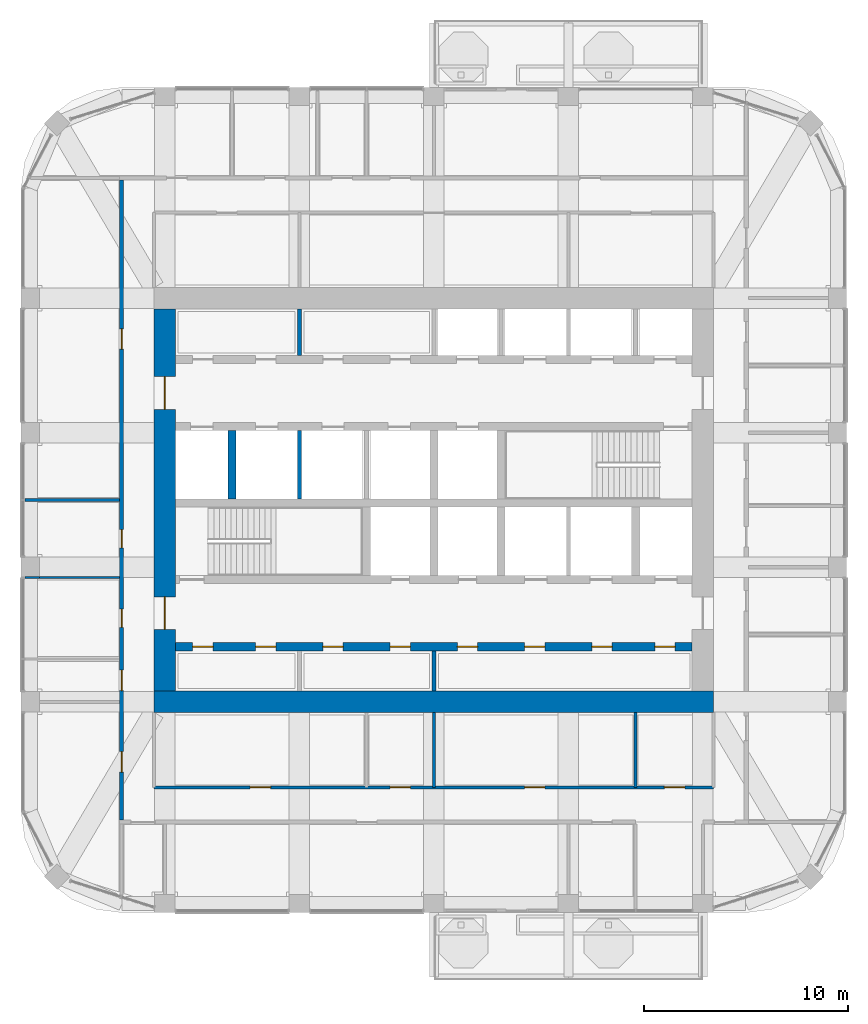
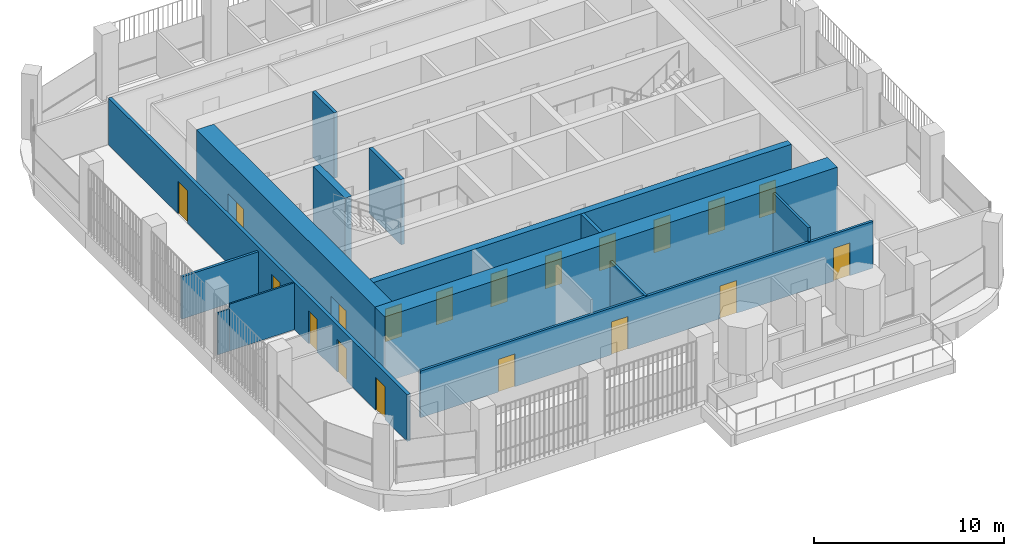
# One storey, part 14 of 21: 19 doors, 14 walls, 19 openings.
"""IFC4 building model written with IfcOpenShell, lengths in metres."""

from ifc_helpers import new_model, si_unit, direction, frame, frame_2d, origin, place, context, subcontext, project, spatial, rectangle, extrude, material, layer, layer_set, type_object, element, fill, save


model = new_model("IFC4")

# Units and contexts
model_context = context("Model", 3, precision=1e-05, world=origin(), true_north=direction((0.0, 1.0)))
body_context = subcontext(model_context, "Body", "Model", "MODEL_VIEW")
ifc_project = project(units=[si_unit("LENGTHUNIT", "METRE"), si_unit("AREAUNIT", "SQUARE_METRE"), si_unit("VOLUMEUNIT", "CUBIC_METRE"), si_unit("PLANEANGLEUNIT", "RADIAN"), si_unit("MASSUNIT", "GRAM", prefix="KILO")], contexts=[model_context])

# Site, building, storey
site_placement = place(None, origin())
site = spatial("IfcSite", under=ifc_project, at=site_placement, CompositionType="ELEMENT")
building_placement = place(site_placement, origin())
building = spatial("IfcBuilding", under=site, at=building_placement, Name="Cobogo Forest Laboratory Tower", CompositionType="ELEMENT")
storey_placement = place(building_placement, frame((0.0, 0.0, 275.39990234375)))
storey = spatial("IfcBuildingStorey", under=building, at=storey_placement, Name="L63", CompositionType="ELEMENT", Elevation=275.39990234375)

# Wall, openings, doors
ifc_material_1 = material(Name="Concrete HA-50 (C50/60)", Category="concrete")
ifc_layer_1 = layer(ifc_material_1, 0.39990234375)
ifc_layer_set_1 = layer_set([ifc_layer_1], Name="CI400 core inner wall 400")
wall_type_1 = type_object("IfcWallType", Name="CI400 core inner wall 400", PredefinedType="SHEAR", material=ifc_layer_set_1)
wall_1_placement = place(storey_placement, frame((13.72509765625, 15.89990234375, 0.0), z_axis=(0.0, 0.0, 1.0), x_axis=(1.0, 0.0, 0.0)))
wall_1 = element("IfcWall", 1, at=wall_1_placement, inside=storey, type_object=wall_type_1, Name="Core wall CI-15.9 L63", PredefinedType="SHEAR", context=body_context, shape_type="SweptSolid", body=[
    extrude(rectangle(XDim=25.349853515625, YDim=0.39990234375, at=frame_2d((12.6748046875, 0.0))), origin(), (0.0, 0.0, 1.0), 4.2001953125),
])
opening_1_placement = place(wall_1_placement, frame((0.83740234375, 0.0, 0.0)))
opening_1 = element("IfcOpeningElement", 2, at=opening_1_placement, cuts=wall_1, Name="Opening L63-D13", PredefinedType="OPENING", context=body_context, shape_type="SweptSolid", body=[
    extrude(rectangle(XDim=1.0, YDim=2.10009765625, at=frame_2d((0.5, 1.050048828125))), frame((0.0, 0.2099609375, 0.0), z_axis=(0.0, -1.0, 0.0), x_axis=(1.0, 0.0, 0.0)), (0.0, 0.0, 1.0), 0.419921875),
])
opening_2_placement = place(wall_1_placement, frame((3.925048828125, 0.0, 0.0)))
opening_2 = element("IfcOpeningElement", 3, at=opening_2_placement, cuts=wall_1, Name="Opening L63-D14", PredefinedType="OPENING", context=body_context, shape_type="SweptSolid", body=[
    extrude(rectangle(XDim=1.0, YDim=2.10009765625, at=frame_2d((0.5, 1.050048828125))), frame((0.0, 0.2099609375, 0.0), z_axis=(0.0, -1.0, 0.0), x_axis=(1.0, 0.0, 0.0)), (0.0, 0.0, 1.0), 0.419921875),
])
opening_3_placement = place(wall_1_placement, frame((7.22509765625, 0.0, 0.0)))
opening_3 = element("IfcOpeningElement", 4, at=opening_3_placement, cuts=wall_1, Name="Opening L63-D15", PredefinedType="OPENING", context=body_context, shape_type="SweptSolid", body=[
    extrude(rectangle(XDim=1.0, YDim=2.10009765625, at=frame_2d((0.5, 1.050048828125))), frame((0.0, 0.2099609375, 0.0), z_axis=(0.0, -1.0, 0.0), x_axis=(1.0, 0.0, 0.0)), (0.0, 0.0, 1.0), 0.419921875),
])
opening_4_placement = place(wall_1_placement, frame((10.52490234375, 0.0, 0.0)))
opening_4 = element("IfcOpeningElement", 5, at=opening_4_placement, cuts=wall_1, Name="Opening L63-D16", PredefinedType="OPENING", context=body_context, shape_type="SweptSolid", body=[
    extrude(rectangle(XDim=1.0, YDim=2.10009765625, at=frame_2d((0.5, 1.050048828125))), frame((0.0, 0.2099609375, 0.0), z_axis=(0.0, -1.0, 0.0), x_axis=(1.0, 0.0, 0.0)), (0.0, 0.0, 1.0), 0.419921875),
])
opening_5_placement = place(wall_1_placement, frame((13.824951171875, 0.0, 0.0)))
opening_5 = element("IfcOpeningElement", 6, at=opening_5_placement, cuts=wall_1, Name="Opening L63-D17", PredefinedType="OPENING", context=body_context, shape_type="SweptSolid", body=[
    extrude(rectangle(XDim=1.0, YDim=2.10009765625, at=frame_2d((0.5, 1.050048828125))), frame((0.0, 0.2099609375, 0.0), z_axis=(0.0, -1.0, 0.0), x_axis=(1.0, 0.0, 0.0)), (0.0, 0.0, 1.0), 0.419921875),
])
opening_6_placement = place(wall_1_placement, frame((17.125, 0.0, 0.0)))
opening_6 = element("IfcOpeningElement", 7, at=opening_6_placement, cuts=wall_1, Name="Opening L63-D18", PredefinedType="OPENING", context=body_context, shape_type="SweptSolid", body=[
    extrude(rectangle(XDim=1.0, YDim=2.10009765625, at=frame_2d((0.5, 1.050048828125))), frame((0.0, 0.2099609375, 0.0), z_axis=(0.0, -1.0, 0.0), x_axis=(1.0, 0.0, 0.0)), (0.0, 0.0, 1.0), 0.419921875),
])
opening_7_placement = place(wall_1_placement, frame((20.425048828125, 0.0, 0.0)))
opening_7 = element("IfcOpeningElement", 8, at=opening_7_placement, cuts=wall_1, Name="Opening L63-D19", PredefinedType="OPENING", context=body_context, shape_type="SweptSolid", body=[
    extrude(rectangle(XDim=1.0, YDim=2.10009765625, at=frame_2d((0.5, 1.050048828125))), frame((0.0, 0.2099609375, 0.0), z_axis=(0.0, -1.0, 0.0), x_axis=(1.0, 0.0, 0.0)), (0.0, 0.0, 1.0), 0.419921875),
])
opening_8_placement = place(wall_1_placement, frame((23.512451171875, 0.0, 0.0)))
opening_8 = element("IfcOpeningElement", 9, at=opening_8_placement, cuts=wall_1, Name="Opening L63-D20", PredefinedType="OPENING", context=body_context, shape_type="SweptSolid", body=[
    extrude(rectangle(XDim=1.0, YDim=2.10009765625, at=frame_2d((0.5, 1.050048828125))), frame((0.0, 0.2099609375, 0.0), z_axis=(0.0, -1.0, 0.0), x_axis=(1.0, 0.0, 0.0)), (0.0, 0.0, 1.0), 0.419921875),
])
ifc_material_2 = material(Name="Steel fire door", Category="steel")
door_type_1 = type_object("IfcDoorType", Name="FD1 fire door 1000 EI2 60", OperationType="SINGLE_SWING_LEFT", PredefinedType="DOOR", material=ifc_material_2)
door_1_placement = place(opening_1_placement, origin())
door_1 = element("IfcDoor", 10, at=door_1_placement, inside=storey, type_object=door_type_1, Name="Door L63-SH-LA1", OperationType="SINGLE_SWING_LEFT", OverallHeight=2.10009765625, OverallWidth=1.0, PredefinedType="DOOR", context=body_context, shape_type="SweptSolid", body=[
    extrude(rectangle(XDim=1.0, YDim=2.10009765625, at=frame_2d((0.5, 1.050048828125))), frame((0.0, 0.02490234375, 0.0), z_axis=(0.0, -1.0, 0.0), x_axis=(1.0, 0.0, 0.0)), (0.0, 0.0, 1.0), 0.050048828125),
])
fill(opening_1, door_1)
door_2_placement = place(opening_2_placement, origin())
door_2 = element("IfcDoor", 11, at=door_2_placement, inside=storey, type_object=door_type_1, Name="Door L63-SH-LA2", OperationType="SINGLE_SWING_LEFT", OverallHeight=2.10009765625, OverallWidth=1.0, PredefinedType="DOOR", context=body_context, shape_type="SweptSolid", body=[
    extrude(rectangle(XDim=1.0, YDim=2.10009765625, at=frame_2d((0.5, 1.050048828125))), frame((0.0, 0.02490234375, 0.0), z_axis=(0.0, -1.0, 0.0), x_axis=(1.0, 0.0, 0.0)), (0.0, 0.0, 1.0), 0.050048828125),
])
fill(opening_2, door_2)
door_3_placement = place(opening_3_placement, origin())
door_3 = element("IfcDoor", 12, at=door_3_placement, inside=storey, type_object=door_type_1, Name="Door L63-SH-LA3", OperationType="SINGLE_SWING_LEFT", OverallHeight=2.10009765625, OverallWidth=1.0, PredefinedType="DOOR", context=body_context, shape_type="SweptSolid", body=[
    extrude(rectangle(XDim=1.0, YDim=2.10009765625, at=frame_2d((0.5, 1.050048828125))), frame((0.0, 0.02490234375, 0.0), z_axis=(0.0, -1.0, 0.0), x_axis=(1.0, 0.0, 0.0)), (0.0, 0.0, 1.0), 0.050048828125),
])
fill(opening_3, door_3)
door_4_placement = place(opening_4_placement, origin())
door_4 = element("IfcDoor", 13, at=door_4_placement, inside=storey, type_object=door_type_1, Name="Door L63-SH-LA4", OperationType="SINGLE_SWING_LEFT", OverallHeight=2.10009765625, OverallWidth=1.0, PredefinedType="DOOR", context=body_context, shape_type="SweptSolid", body=[
    extrude(rectangle(XDim=1.0, YDim=2.10009765625, at=frame_2d((0.5, 1.050048828125))), frame((0.0, 0.02490234375, 0.0), z_axis=(0.0, -1.0, 0.0), x_axis=(1.0, 0.0, 0.0)), (0.0, 0.0, 1.0), 0.050048828125),
])
fill(opening_4, door_4)
door_5_placement = place(opening_5_placement, origin())
door_5 = element("IfcDoor", 14, at=door_5_placement, inside=storey, type_object=door_type_1, Name="Door L63-SH-LB1", OperationType="SINGLE_SWING_RIGHT", OverallHeight=2.10009765625, OverallWidth=1.0, PredefinedType="DOOR", context=body_context, shape_type="SweptSolid", body=[
    extrude(rectangle(XDim=1.0, YDim=2.10009765625, at=frame_2d((0.5, 1.050048828125))), frame((0.0, 0.02490234375, 0.0), z_axis=(0.0, -1.0, 0.0), x_axis=(1.0, 0.0, 0.0)), (0.0, 0.0, 1.0), 0.050048828125),
])
fill(opening_5, door_5)
door_6_placement = place(opening_6_placement, origin())
door_6 = element("IfcDoor", 15, at=door_6_placement, inside=storey, type_object=door_type_1, Name="Door L63-SH-LB2", OperationType="SINGLE_SWING_RIGHT", OverallHeight=2.10009765625, OverallWidth=1.0, PredefinedType="DOOR", context=body_context, shape_type="SweptSolid", body=[
    extrude(rectangle(XDim=1.0, YDim=2.10009765625, at=frame_2d((0.5, 1.050048828125))), frame((0.0, 0.02490234375, 0.0), z_axis=(0.0, -1.0, 0.0), x_axis=(1.0, 0.0, 0.0)), (0.0, 0.0, 1.0), 0.050048828125),
])
fill(opening_6, door_6)
door_7_placement = place(opening_7_placement, origin())
door_7 = element("IfcDoor", 16, at=door_7_placement, inside=storey, type_object=door_type_1, Name="Door L63-SH-LB3", OperationType="SINGLE_SWING_RIGHT", OverallHeight=2.10009765625, OverallWidth=1.0, PredefinedType="DOOR", context=body_context, shape_type="SweptSolid", body=[
    extrude(rectangle(XDim=1.0, YDim=2.10009765625, at=frame_2d((0.5, 1.050048828125))), frame((0.0, 0.02490234375, 0.0), z_axis=(0.0, -1.0, 0.0), x_axis=(1.0, 0.0, 0.0)), (0.0, 0.0, 1.0), 0.050048828125),
])
fill(opening_7, door_7)
door_8_placement = place(opening_8_placement, origin())
door_8 = element("IfcDoor", 17, at=door_8_placement, inside=storey, type_object=door_type_1, Name="Door L63-SH-LB4", OperationType="SINGLE_SWING_RIGHT", OverallHeight=2.10009765625, OverallWidth=1.0, PredefinedType="DOOR", context=body_context, shape_type="SweptSolid", body=[
    extrude(rectangle(XDim=1.0, YDim=2.10009765625, at=frame_2d((0.5, 1.050048828125))), frame((0.0, 0.02490234375, 0.0), z_axis=(0.0, -1.0, 0.0), x_axis=(1.0, 0.0, 0.0)), (0.0, 0.0, 1.0), 0.050048828125),
])
fill(opening_8, door_8)

# Walls
wall_2_placement = place(storey_placement, frame((16.5, 23.14990234375, 0.0), z_axis=(0.0, 0.0, 1.0), x_axis=(0.0, 1.0, 0.0)))
element("IfcWall", 18, at=wall_2_placement, inside=storey, type_object=wall_type_1, Name="Core wall CX-16.5 L63", PredefinedType="SHEAR", context=body_context, shape_type="SweptSolid", body=[
    extrude(rectangle(XDim=3.35009765625, YDim=0.39990234375, at=frame_2d((1.675048828125, 0.0))), origin(), (0.0, 0.0, 1.0), 4.2001953125),
])
ifc_layer_2 = layer(ifc_material_1, 1.050048828125)
ifc_layer_set_2 = layer_set([ifc_layer_2], Name="CW1050 core outer wall 1050")
wall_type_2 = type_object("IfcWallType", Name="CW1050 core outer wall 1050", PredefinedType="SHEAR", material=ifc_layer_set_2)
wall_3_placement = place(storey_placement, frame((12.675048828125, 13.199951171875, 0.0), z_axis=(0.0, 0.0, 1.0), x_axis=(1.0, 0.0, 0.0)))
element("IfcWall", 19, at=wall_3_placement, inside=storey, type_object=wall_type_2, Name="Core wall CO-S L63", PredefinedType="SHEAR", context=body_context, shape_type="SweptSolid", body=[
    extrude(rectangle(XDim=27.449951171875, YDim=1.050048828125, at=frame_2d((13.72509765625, 0.0))), origin(), (0.0, 0.0, 1.0), 4.2001953125),
])

# Wall, openings, doors
wall_4_placement = place(storey_placement, frame((13.199951171875, 32.47509765625, 0.0), z_axis=(0.0, 0.0, 1.0), x_axis=(0.0, -1.0, 0.0)))
wall_4 = element("IfcWall", 20, at=wall_4_placement, inside=storey, type_object=wall_type_2, Name="Core wall CO-W L63", PredefinedType="SHEAR", context=body_context, shape_type="SweptSolid", body=[
    extrude(rectangle(XDim=18.75, YDim=1.050048828125, at=frame_2d((9.375, 0.0))), origin(), (0.0, 0.0, 1.0), 4.2001953125),
])
opening_9_placement = place(wall_4_placement, frame((14.125, 0.0, 0.0)))
opening_9 = element("IfcOpeningElement", 21, at=opening_9_placement, cuts=wall_4, Name="Opening L63-D22", PredefinedType="OPENING", context=body_context, shape_type="SweptSolid", body=[
    extrude(rectangle(XDim=1.60009765625, YDim=2.10009765625, at=frame_2d((0.800048828125, 1.050048828125))), frame((0.0, 0.534912109375, 0.0), z_axis=(0.0, -1.0, 0.0), x_axis=(1.0, 0.0, 0.0)), (0.0, 0.0, 1.0), 1.070068359375),
])
opening_10_placement = place(wall_4_placement, frame((3.324951171875, 0.0, 0.0)))
opening_10 = element("IfcOpeningElement", 22, at=opening_10_placement, cuts=wall_4, Name="Opening L63-D33", PredefinedType="OPENING", context=body_context, shape_type="SweptSolid", body=[
    extrude(rectangle(XDim=1.60009765625, YDim=2.10009765625, at=frame_2d((0.800048828125, 1.050048828125))), frame((0.0, 0.534912109375, 0.0), z_axis=(0.0, -1.0, 0.0), x_axis=(1.0, 0.0, 0.0)), (0.0, 0.0, 1.0), 1.070068359375),
])
door_type_2 = type_object("IfcDoorType", Name="DS2 protected lobby door pair 1600 EI2 60", OperationType="DOUBLE_DOOR_DOUBLE_SWING", PredefinedType="DOOR", material=ifc_material_2)
door_9_placement = place(opening_9_placement, origin())
door_9 = element("IfcDoor", 23, at=door_9_placement, inside=storey, type_object=door_type_2, Name="Door L63-CO-W-S", OperationType="DOUBLE_DOOR_DOUBLE_SWING", OverallHeight=2.10009765625, OverallWidth=1.60009765625, PredefinedType="DOOR", context=body_context, shape_type="SweptSolid", body=[
    extrude(rectangle(XDim=1.60009765625, YDim=2.10009765625, at=frame_2d((0.800048828125, 1.050048828125))), frame((0.0, 0.02490234375, 0.0), z_axis=(0.0, -1.0, 0.0), x_axis=(1.0, 0.0, 0.0)), (0.0, 0.0, 1.0), 0.050048828125),
])
fill(opening_9, door_9)
door_10_placement = place(opening_10_placement, origin())
door_10 = element("IfcDoor", 24, at=door_10_placement, inside=storey, type_object=door_type_2, Name="Door L63-CO-W-N", OperationType="DOUBLE_DOOR_DOUBLE_SWING", OverallHeight=2.10009765625, OverallWidth=1.60009765625, PredefinedType="DOOR", context=body_context, shape_type="SweptSolid", body=[
    extrude(rectangle(XDim=1.60009765625, YDim=2.10009765625, at=frame_2d((0.800048828125, 1.050048828125))), frame((0.0, 0.02490234375, 0.0), z_axis=(0.0, -1.0, 0.0), x_axis=(1.0, 0.0, 0.0)), (0.0, 0.0, 1.0), 0.050048828125),
])
fill(opening_10, door_10)

ifc_material_3 = material(Name="Gypsum board on steel studs", Category="steel")
ifc_layer_3 = layer(ifc_material_3, 0.14990234375)
ifc_layer_set_3 = layer_set([ifc_layer_3], Name="PT1 laboratory partition 150")
wall_type_3 = type_object("IfcWallType", Name="PT1 laboratory partition 150", PredefinedType="PARTITIONING", material=ifc_layer_set_3)
wall_5_placement = place(storey_placement, frame((12.675048828125, 9.0, 0.0), z_axis=(0.0, 0.0, 1.0), x_axis=(1.0, 0.0, 0.0)))
wall_5 = element("IfcWall", 25, at=wall_5_placement, inside=storey, type_object=wall_type_3, Name="Partition CSTRIP-S L63", PredefinedType="PARTITIONING", context=body_context, shape_type="SweptSolid", body=[
    extrude(rectangle(XDim=27.449951171875, YDim=0.14990234375, at=frame_2d((13.72509765625, 0.0))), origin(), (0.0, 0.0, 1.0), 3.0),
])
opening_11_placement = place(wall_5_placement, frame((4.71240234375, 0.0, 0.0)))
opening_11 = element("IfcOpeningElement", 26, at=opening_11_placement, cuts=wall_5, Name="Opening L63-D06", PredefinedType="OPENING", context=body_context, shape_type="SweptSolid", body=[
    extrude(rectangle(XDim=1.0, YDim=2.10009765625, at=frame_2d((0.5, 1.050048828125))), frame((0.0, 0.0849609375, 0.0), z_axis=(0.0, -1.0, 0.0), x_axis=(1.0, 0.0, 0.0)), (0.0, 0.0, 1.0), 0.169921875),
])
opening_12_placement = place(wall_5_placement, frame((11.574951171875, 0.0, 0.0)))
opening_12 = element("IfcOpeningElement", 27, at=opening_12_placement, cuts=wall_5, Name="Opening L63-D07", PredefinedType="OPENING", context=body_context, shape_type="SweptSolid", body=[
    extrude(rectangle(XDim=1.0, YDim=2.10009765625, at=frame_2d((0.5, 1.050048828125))), frame((0.0, 0.0849609375, 0.0), z_axis=(0.0, -1.0, 0.0), x_axis=(1.0, 0.0, 0.0)), (0.0, 0.0, 1.0), 0.169921875),
])
opening_13_placement = place(wall_5_placement, frame((18.175048828125, 0.0, 0.0)))
opening_13 = element("IfcOpeningElement", 28, at=opening_13_placement, cuts=wall_5, Name="Opening L63-D08", PredefinedType="OPENING", context=body_context, shape_type="SweptSolid", body=[
    extrude(rectangle(XDim=1.0, YDim=2.10009765625, at=frame_2d((0.5, 1.050048828125))), frame((0.0, 0.0849609375, 0.0), z_axis=(0.0, -1.0, 0.0), x_axis=(1.0, 0.0, 0.0)), (0.0, 0.0, 1.0), 0.169921875),
])
opening_14_placement = place(wall_5_placement, frame((25.03759765625, 0.0, 0.0)))
opening_14 = element("IfcOpeningElement", 29, at=opening_14_placement, cuts=wall_5, Name="Opening L63-D09", PredefinedType="OPENING", context=body_context, shape_type="SweptSolid", body=[
    extrude(rectangle(XDim=1.0, YDim=2.10009765625, at=frame_2d((0.5, 1.050048828125))), frame((0.0, 0.0849609375, 0.0), z_axis=(0.0, -1.0, 0.0), x_axis=(1.0, 0.0, 0.0)), (0.0, 0.0, 1.0), 0.169921875),
])
ifc_material_4 = material(Name="Timber fire door", Category="wood")
door_type_3 = type_object("IfcDoorType", Name="FD2 fire door 1000 EI2 30", OperationType="SINGLE_SWING_LEFT", PredefinedType="DOOR", material=ifc_material_4)
door_11_placement = place(opening_11_placement, origin())
door_11 = element("IfcDoor", 30, at=door_11_placement, inside=storey, type_object=door_type_3, Name="Door L63-CSS1", OperationType="SINGLE_SWING_LEFT", OverallHeight=2.10009765625, OverallWidth=1.0, PredefinedType="DOOR", context=body_context, shape_type="SweptSolid", body=[
    extrude(rectangle(XDim=1.0, YDim=2.10009765625, at=frame_2d((0.5, 1.050048828125))), frame((0.0, 0.02490234375, 0.0), z_axis=(0.0, -1.0, 0.0), x_axis=(1.0, 0.0, 0.0)), (0.0, 0.0, 1.0), 0.050048828125),
])
fill(opening_11, door_11)
door_12_placement = place(opening_12_placement, origin())
door_12 = element("IfcDoor", 31, at=door_12_placement, inside=storey, type_object=door_type_3, Name="Door L63-CSS2", OperationType="SINGLE_SWING_LEFT", OverallHeight=2.10009765625, OverallWidth=1.0, PredefinedType="DOOR", context=body_context, shape_type="SweptSolid", body=[
    extrude(rectangle(XDim=1.0, YDim=2.10009765625, at=frame_2d((0.5, 1.050048828125))), frame((0.0, 0.02490234375, 0.0), z_axis=(0.0, -1.0, 0.0), x_axis=(1.0, 0.0, 0.0)), (0.0, 0.0, 1.0), 0.050048828125),
])
fill(opening_12, door_12)
door_13_placement = place(opening_13_placement, origin())
door_13 = element("IfcDoor", 32, at=door_13_placement, inside=storey, type_object=door_type_3, Name="Door L63-CSS3", OperationType="SINGLE_SWING_RIGHT", OverallHeight=2.10009765625, OverallWidth=1.0, PredefinedType="DOOR", context=body_context, shape_type="SweptSolid", body=[
    extrude(rectangle(XDim=1.0, YDim=2.10009765625, at=frame_2d((0.5, 1.050048828125))), frame((0.0, 0.02490234375, 0.0), z_axis=(0.0, -1.0, 0.0), x_axis=(1.0, 0.0, 0.0)), (0.0, 0.0, 1.0), 0.050048828125),
])
fill(opening_13, door_13)
door_14_placement = place(opening_14_placement, origin())
door_14 = element("IfcDoor", 33, at=door_14_placement, inside=storey, type_object=door_type_3, Name="Door L63-CSS4", OperationType="SINGLE_SWING_RIGHT", OverallHeight=2.10009765625, OverallWidth=1.0, PredefinedType="DOOR", context=body_context, shape_type="SweptSolid", body=[
    extrude(rectangle(XDim=1.0, YDim=2.10009765625, at=frame_2d((0.5, 1.050048828125))), frame((0.0, 0.02490234375, 0.0), z_axis=(0.0, -1.0, 0.0), x_axis=(1.0, 0.0, 0.0)), (0.0, 0.0, 1.0), 0.050048828125),
])
fill(opening_14, door_14)

# Walls
wall_6_placement = place(storey_placement, frame((26.39990234375, 12.675048828125, 0.0), z_axis=(0.0, 0.0, 1.0), x_axis=(0.0, -1.0, 0.0)))
element("IfcWall", 34, at=wall_6_placement, inside=storey, type_object=wall_type_3, Name="Partition CSTRIP-S26.4 L63", PredefinedType="PARTITIONING", context=body_context, shape_type="SweptSolid", body=[
    extrude(rectangle(XDim=3.675048828125, YDim=0.14990234375, at=frame_2d((1.83740234375, 0.0))), origin(), (0.0, 0.0, 1.0), 3.0),
])
wall_7_placement = place(storey_placement, frame((36.300048828125, 12.675048828125, 0.0), z_axis=(0.0, 0.0, 1.0), x_axis=(0.0, -1.0, 0.0)))
element("IfcWall", 35, at=wall_7_placement, inside=storey, type_object=wall_type_3, Name="Partition CSTRIP-S36.3 L63", PredefinedType="PARTITIONING", context=body_context, shape_type="SweptSolid", body=[
    extrude(rectangle(XDim=3.675048828125, YDim=0.14990234375, at=frame_2d((1.83740234375, 0.0))), origin(), (0.0, 0.0, 1.0), 3.900146484375),
])
wall_8_placement = place(storey_placement, frame((6.330078125, 23.10009765625, 0.0), z_axis=(0.0, 0.0, 1.0), x_axis=(1.0, 0.0, 0.0)))
element("IfcWall", 36, at=wall_8_placement, inside=storey, type_object=wall_type_3, Name="Partition SVC-W3-1 L63", PredefinedType="PARTITIONING", context=body_context, shape_type="SweptSolid", body=[
    extrude(rectangle(XDim=4.64501953125, YDim=0.14990234375, at=frame_2d((2.322509765625, 0.0))), origin(), (0.0, 0.0, 1.0), 2.7001953125),
])

# Wall, openings, doors
ifc_layer_4 = layer(ifc_material_3, 0.199951171875)
ifc_layer_set_4 = layer_set([ifc_layer_4], Name="PT2 fire-rated corridor partition 200")
wall_type_4 = type_object("IfcWallType", Name="PT2 fire-rated corridor partition 200", PredefinedType="PARTITIONING", material=ifc_layer_set_4)
wall_9_placement = place(storey_placement, frame((11.074951171875, 7.39990234375, 0.0), z_axis=(0.0, 0.0, 1.0), x_axis=(0.0, 1.0, 0.0)))
wall_9 = element("IfcWall", 37, at=wall_9_placement, inside=storey, type_object=wall_type_4, Name="Partition CORR-W L63", PredefinedType="PARTITIONING", context=body_context, shape_type="SweptSolid", body=[
    extrude(rectangle(XDim=31.400146484375, YDim=0.199951171875, at=frame_2d((15.7001953125, 0.0))), origin(), (0.0, 0.0, 1.0), 3.0),
])
opening_15_placement = place(wall_9_placement, frame((2.35009765625, 0.0, 0.0)))
opening_15 = element("IfcOpeningElement", 38, at=opening_15_placement, cuts=wall_9, Name="Opening L63-D10", PredefinedType="OPENING", context=body_context, shape_type="SweptSolid", body=[
    extrude(rectangle(XDim=1.0, YDim=2.10009765625, at=frame_2d((0.5, 1.050048828125))), frame((0.0, 0.10986328125, 0.0), z_axis=(0.0, -1.0, 0.0), x_axis=(1.0, 0.0, 0.0)), (0.0, 0.0, 1.0), 0.219970703125),
])
opening_16_placement = place(wall_9_placement, frame((6.35009765625, 0.0, 0.0)))
opening_16 = element("IfcOpeningElement", 39, at=opening_16_placement, cuts=wall_9, Name="Opening L63-D12", PredefinedType="OPENING", context=body_context, shape_type="SweptSolid", body=[
    extrude(rectangle(XDim=1.0, YDim=2.10009765625, at=frame_2d((0.5, 1.050048828125))), frame((0.0, 0.10986328125, 0.0), z_axis=(0.0, -1.0, 0.0), x_axis=(1.0, 0.0, 0.0)), (0.0, 0.0, 1.0), 0.219970703125),
])
opening_17_placement = place(wall_9_placement, frame((9.449951171875, 0.0, 0.0)))
opening_17 = element("IfcOpeningElement", 40, at=opening_17_placement, cuts=wall_9, Name="Opening L63-D21", PredefinedType="OPENING", context=body_context, shape_type="SweptSolid", body=[
    extrude(rectangle(XDim=0.89990234375, YDim=2.10009765625, at=frame_2d((0.449951171875, 1.050048828125))), frame((0.0, 0.10986328125, 0.0), z_axis=(0.0, -1.0, 0.0), x_axis=(1.0, 0.0, 0.0)), (0.0, 0.0, 1.0), 0.219970703125),
])
opening_18_placement = place(wall_9_placement, frame((13.35009765625, 0.0, 0.0)))
opening_18 = element("IfcOpeningElement", 41, at=opening_18_placement, cuts=wall_9, Name="Opening L63-D28", PredefinedType="OPENING", context=body_context, shape_type="SweptSolid", body=[
    extrude(rectangle(XDim=0.89990234375, YDim=2.10009765625, at=frame_2d((0.449951171875, 1.050048828125))), frame((0.0, 0.10986328125, 0.0), z_axis=(0.0, -1.0, 0.0), x_axis=(1.0, 0.0, 0.0)), (0.0, 0.0, 1.0), 0.219970703125),
])
opening_19_placement = place(wall_9_placement, frame((23.10009765625, 0.0, 0.0)))
opening_19 = element("IfcOpeningElement", 42, at=opening_19_placement, cuts=wall_9, Name="Opening L63-D39", PredefinedType="OPENING", context=body_context, shape_type="SweptSolid", body=[
    extrude(rectangle(XDim=1.0, YDim=2.10009765625, at=frame_2d((0.5, 1.050048828125))), frame((0.0, 0.10986328125, 0.0), z_axis=(0.0, -1.0, 0.0), x_axis=(1.0, 0.0, 0.0)), (0.0, 0.0, 1.0), 0.219970703125),
])
door_15_placement = place(opening_15_placement, origin())
door_15 = element("IfcDoor", 43, at=door_15_placement, inside=storey, type_object=door_type_3, Name="Door L63-W1", OperationType="SINGLE_SWING_LEFT", OverallHeight=2.10009765625, OverallWidth=1.0, PredefinedType="DOOR", context=body_context, shape_type="SweptSolid", body=[
    extrude(rectangle(XDim=1.0, YDim=2.10009765625, at=frame_2d((0.5, 1.050048828125))), frame((0.0, 0.02490234375, 0.0), z_axis=(0.0, -1.0, 0.0), x_axis=(1.0, 0.0, 0.0)), (0.0, 0.0, 1.0), 0.050048828125),
])
fill(opening_15, door_15)
door_16_placement = place(opening_19_placement, origin())
door_16 = element("IfcDoor", 44, at=door_16_placement, inside=storey, type_object=door_type_3, Name="Door L63-W2", OperationType="SINGLE_SWING_RIGHT", OverallHeight=2.10009765625, OverallWidth=1.0, PredefinedType="DOOR", context=body_context, shape_type="SweptSolid", body=[
    extrude(rectangle(XDim=1.0, YDim=2.10009765625, at=frame_2d((0.5, 1.050048828125))), frame((0.0, 0.02490234375, 0.0), z_axis=(0.0, -1.0, 0.0), x_axis=(1.0, 0.0, 0.0)), (0.0, 0.0, 1.0), 0.050048828125),
])
fill(opening_19, door_16)
door_type_4 = type_object("IfcDoorType", Name="FD3 toilet fire door 900 EI2 30", OperationType="SINGLE_SWING_LEFT", PredefinedType="DOOR", material=ifc_material_4)
door_17_placement = place(opening_17_placement, origin())
door_17 = element("IfcDoor", 45, at=door_17_placement, inside=storey, type_object=door_type_4, Name="Door L63-WCF", OperationType="SINGLE_SWING_LEFT", OverallHeight=2.10009765625, OverallWidth=0.89990234375, PredefinedType="DOOR", context=body_context, shape_type="SweptSolid", body=[
    extrude(rectangle(XDim=0.89990234375, YDim=2.10009765625, at=frame_2d((0.449951171875, 1.050048828125))), frame((0.0, 0.02490234375, 0.0), z_axis=(0.0, -1.0, 0.0), x_axis=(1.0, 0.0, 0.0)), (0.0, 0.0, 1.0), 0.050048828125),
])
fill(opening_17, door_17)
door_18_placement = place(opening_18_placement, origin())
door_18 = element("IfcDoor", 46, at=door_18_placement, inside=storey, type_object=door_type_4, Name="Door L63-WCM", OperationType="SINGLE_SWING_LEFT", OverallHeight=2.10009765625, OverallWidth=0.89990234375, PredefinedType="DOOR", context=body_context, shape_type="SweptSolid", body=[
    extrude(rectangle(XDim=0.89990234375, YDim=2.10009765625, at=frame_2d((0.449951171875, 1.050048828125))), frame((0.0, 0.02490234375, 0.0), z_axis=(0.0, -1.0, 0.0), x_axis=(1.0, 0.0, 0.0)), (0.0, 0.0, 1.0), 0.050048828125),
])
fill(opening_18, door_18)
door_type_5 = type_object("IfcDoorType", Name="FDA1 accessible toilet fire door 1000 EI2 30", OperationType="SINGLE_SWING_RIGHT", PredefinedType="DOOR", material=ifc_material_4)
door_19_placement = place(opening_16_placement, origin())
door_19 = element("IfcDoor", 47, at=door_19_placement, inside=storey, type_object=door_type_5, Name="Door L63-WCA", OperationType="SINGLE_SWING_LEFT", OverallHeight=2.10009765625, OverallWidth=1.0, PredefinedType="DOOR", context=body_context, shape_type="SweptSolid", body=[
    extrude(rectangle(XDim=1.0, YDim=2.10009765625, at=frame_2d((0.5, 1.050048828125))), frame((0.0, 0.02490234375, 0.0), z_axis=(0.0, -1.0, 0.0), x_axis=(1.0, 0.0, 0.0)), (0.0, 0.0, 1.0), 0.050048828125),
])
fill(opening_16, door_19)

# Walls
ifc_layer_5 = layer(ifc_material_3, 0.10009765625)
ifc_layer_set_5 = layer_set([ifc_layer_5], Name="PT3 toilet partition 100")
wall_type_5 = type_object("IfcWallType", Name="PT3 toilet partition 100", PredefinedType="PARTITIONING", material=ifc_layer_set_5)
wall_10_placement = place(storey_placement, frame((6.330078125, 19.300048828125, 0.0), z_axis=(0.0, 0.0, 1.0), x_axis=(1.0, 0.0, 0.0)))
element("IfcWall", 48, at=wall_10_placement, inside=storey, type_object=wall_type_5, Name="Partition SVC-W2-1 L63", PredefinedType="PARTITIONING", context=body_context, shape_type="SweptSolid", body=[
    extrude(rectangle(XDim=0.719970703125, YDim=0.10009765625, at=frame_2d((0.35986328125, 0.0))), origin(), (0.0, 0.0, 1.0), 2.7001953125),
])
wall_11_placement = place(storey_placement, frame((7.050048828125, 19.300048828125, 0.0), z_axis=(0.0, 0.0, 1.0), x_axis=(1.0, 0.0, 0.0)))
element("IfcWall", 49, at=wall_11_placement, inside=storey, type_object=wall_type_5, Name="Partition SVC-W2-2 L63", PredefinedType="PARTITIONING", context=body_context, shape_type="SweptSolid", body=[
    extrude(rectangle(XDim=3.925048828125, YDim=0.10009765625, at=frame_2d((1.96240234375, 0.0))), origin(), (0.0, 0.0, 1.0), 3.0),
])
ifc_material_5 = material(Name="Concrete block", Category="concrete")
ifc_layer_6 = layer(ifc_material_5, 0.199951171875)
ifc_layer_set_6 = layer_set([ifc_layer_6], Name="SW200 lift shaft separator 200")
wall_type_6 = type_object("IfcWallType", Name="SW200 lift shaft separator 200", PredefinedType="PARTITIONING", material=ifc_layer_set_6)
wall_12_placement = place(storey_placement, frame((19.800048828125, 30.199951171875, 0.0), z_axis=(0.0, 0.0, 1.0), x_axis=(0.0, 1.0, 0.0)))
element("IfcWall", 50, at=wall_12_placement, inside=storey, type_object=wall_type_6, Name="Core wall SEP-N2 L63", PredefinedType="PARTITIONING", context=body_context, shape_type="SweptSolid", body=[
    extrude(rectangle(XDim=2.275146484375, YDim=0.199951171875, at=frame_2d((1.1376953125, 0.0))), origin(), (0.0, 0.0, 1.0), 4.2001953125),
])
wall_13_placement = place(storey_placement, frame((26.39990234375, 13.72509765625, 0.0), z_axis=(0.0, 0.0, 1.0), x_axis=(0.0, 1.0, 0.0)))
element("IfcWall", 51, at=wall_13_placement, inside=storey, type_object=wall_type_6, Name="Core wall SEP-S4 L63", PredefinedType="PARTITIONING", context=body_context, shape_type="SweptSolid", body=[
    extrude(rectangle(XDim=1.974853515625, YDim=0.199951171875, at=frame_2d((0.9873046875, 0.0))), origin(), (0.0, 0.0, 1.0), 4.2001953125),
])
wall_14_placement = place(storey_placement, frame((19.800048828125, 23.14990234375, 0.0), z_axis=(0.0, 0.0, 1.0), x_axis=(0.0, 1.0, 0.0)))
element("IfcWall", 52, at=wall_14_placement, inside=storey, type_object=wall_type_6, Name="Core wall SEP-M19.8 L63", PredefinedType="PARTITIONING", context=body_context, shape_type="SweptSolid", body=[
    extrude(rectangle(XDim=3.35009765625, YDim=0.199951171875, at=frame_2d((1.675048828125, 0.0))), origin(), (0.0, 0.0, 1.0), 4.2001953125),
])

save(model, "model.ifc")
